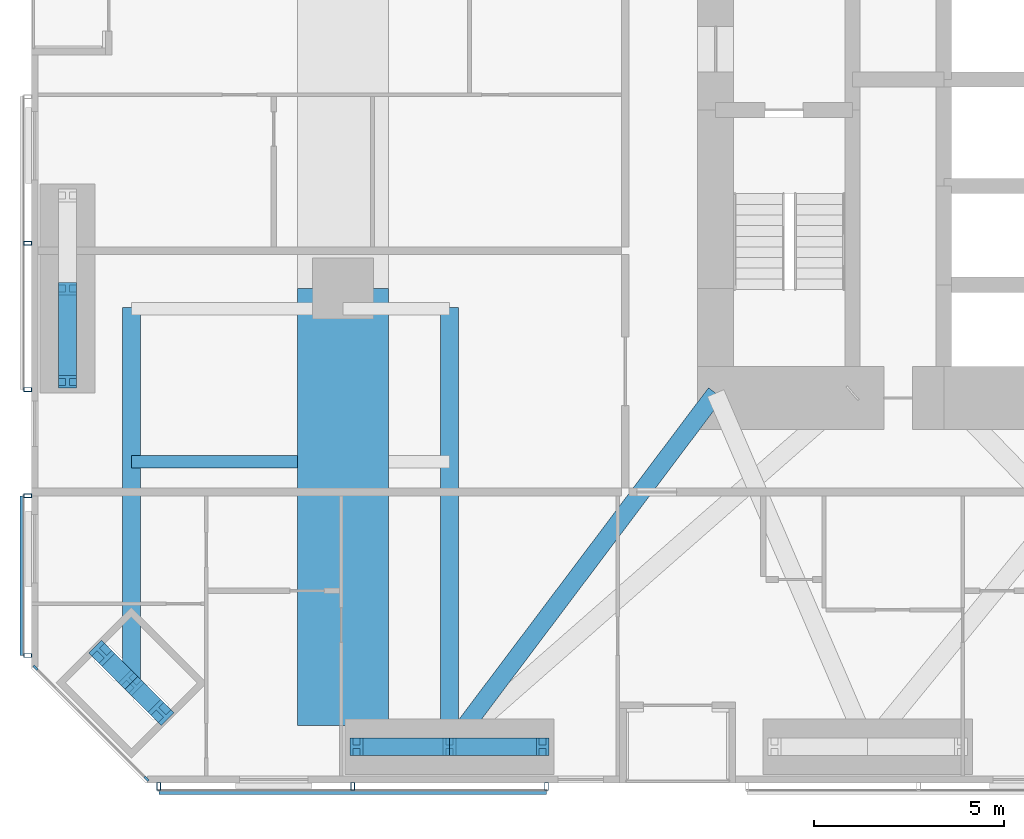
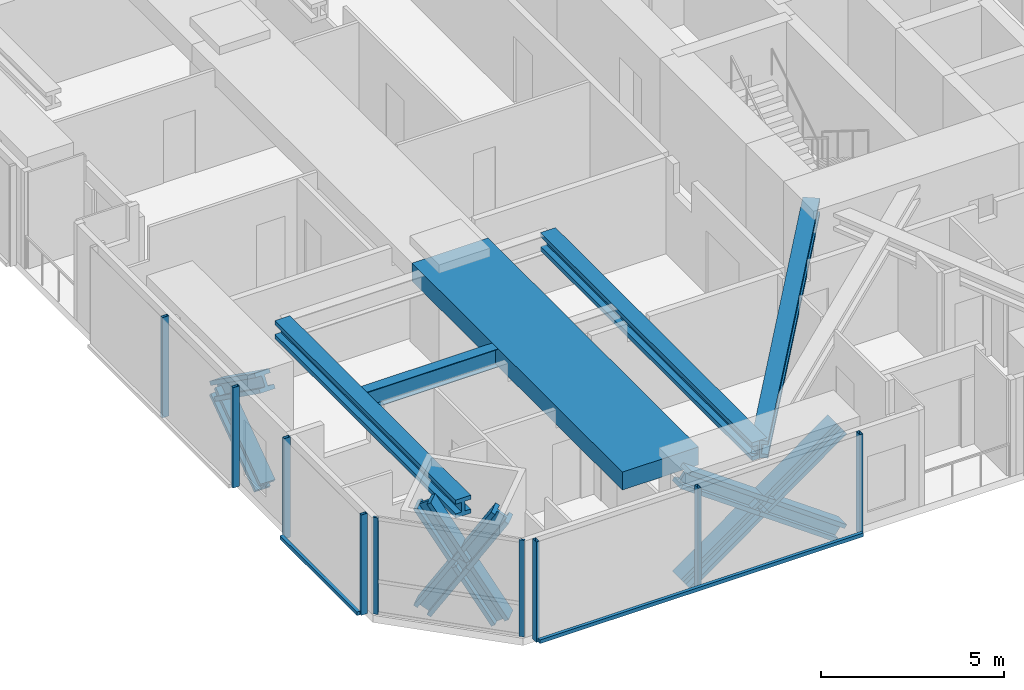
# One storey, part 2 of 22: 22 members, 4 beams, 4 elements without a shape of their own.
"""IFC4 building model written with IfcOpenShell, lengths in metres."""

import ifcopenshell
import ifcopenshell.guid

model = None  # the IFC model being written
_history = None  # IfcOwnerHistory: only IFC2X3 demands one
_inside = {}  # id of a spatial element -> (the spatial element, [elements in it])
_under = {}  # id of a project, library or spatial element -> (it, [spatial elements below it])
_declared = {}  # id of a project -> (the project, [libraries it declares])
_typed = {}  # id of a type object -> (the type object, [elements of that type])
_made_of = {}  # id of a material, layer set ... -> (it, [elements and type objects made of it])


def new_model(schema):
    """Start an empty IFC model of exactly this schema.

    Asked for "IFC4X3", IfcOpenShell would pick the latest addendum, in which some entities
    have other attributes; the version numbers below select the first issue.
    IFC2X3 requires an IfcOwnerHistory on every rooted entity: one is made here for all.
    """
    global model, _history
    if schema == "IFC4X3":
        model = ifcopenshell.file(schema_version=(4, 3, 0, 0))
    else:
        model = ifcopenshell.file(schema=schema)
    _inside.clear()
    _under.clear()
    _declared.clear()
    _typed.clear()
    _made_of.clear()
    _history = None
    if model.schema == "IFC2X3":
        org = make("IfcOrganization", Name="unknown")
        user = make(
            "IfcPersonAndOrganization",
            ThePerson=make("IfcPerson", FamilyName="unknown"),
            TheOrganization=org,
        )
        app = make(
            "IfcApplication",
            ApplicationDeveloper=org,
            Version="unknown",
            ApplicationFullName="unknown",
            ApplicationIdentifier="unknown",
        )
        _history = make(
            "IfcOwnerHistory",
            OwningUser=user,
            OwningApplication=app,
            ChangeAction="ADDED",
            CreationDate=0,
        )
    return model


def make(cls, **values):
    """One entity of the class cls with the attributes given. An attribute that is None is left unset."""
    return model.create_entity(
        cls, **{name: value for name, value in values.items() if value is not None}
    )


def rooted(cls, **values):
    """An entity with a GlobalId (a new one), such as an element, a storey or a relation."""
    return make(cls, GlobalId=ifcopenshell.guid.new(), OwnerHistory=_history, **values)


def si_unit(unit_type, name, prefix=None):
    """IfcSIUnit, for example si_unit("LENGTHUNIT", "METRE", prefix="MILLI")."""
    return make("IfcSIUnit", UnitType=unit_type, Prefix=prefix, Name=name)


def assignment(units):
    """IfcUnitAssignment: the units of a project."""
    return None if units is None else make("IfcUnitAssignment", Units=units)


def point(xyz):
    """IfcCartesianPoint."""
    return None if xyz is None else make("IfcCartesianPoint", Coordinates=xyz)


def direction(xyz):
    """IfcDirection."""
    return None if xyz is None else make("IfcDirection", DirectionRatios=xyz)


def frame(location, z_axis=None, x_axis=None):
    """IfcAxis2Placement3D, a coordinate frame: its origin and axes. An axis left out is left unset."""
    return make(
        "IfcAxis2Placement3D",
        Location=point(location),
        Axis=direction(z_axis),
        RefDirection=direction(x_axis),
    )


def frame_2d(location, x_axis=None):
    """IfcAxis2Placement2D, a coordinate frame in the plane: its origin and x axis."""
    return make(
        "IfcAxis2Placement2D", Location=point(location), RefDirection=direction(x_axis)
    )


def origin():
    """The frame at (0, 0, 0) with its axes left unset."""
    return frame((0.0, 0.0, 0.0))


def origin_2d():
    """The frame at (0, 0) in the plane with its x axis left unset."""
    return frame_2d((0.0, 0.0))


def place(relative_to, where):
    """IfcLocalPlacement: puts the frame where relative to a parent placement (None: the world)."""
    return make(
        "IfcLocalPlacement", PlacementRelTo=relative_to, RelativePlacement=where
    )


def context(
    kind, dimensions, precision=None, world=None, true_north=None, identifier=None
):
    """IfcGeometricRepresentationContext, for example the 3D "Model" context."""
    return make(
        "IfcGeometricRepresentationContext",
        ContextIdentifier=identifier,
        ContextType=kind,
        CoordinateSpaceDimension=dimensions,
        Precision=precision,
        WorldCoordinateSystem=world,
        TrueNorth=true_north,
    )


def subcontext(parent, identifier, kind, view, scale=None):
    """IfcGeometricRepresentationSubContext, for example "Body" below "Model"."""
    return make(
        "IfcGeometricRepresentationSubContext",
        ContextIdentifier=identifier,
        ContextType=kind,
        ParentContext=parent,
        TargetScale=scale,
        TargetView=view,
    )


def project(units=None, contexts=None):
    """IfcProject with its units and contexts."""
    return rooted(
        "IfcProject",
        Name="project",
        RepresentationContexts=contexts,
        UnitsInContext=assignment(units),
    )


def spatial(cls, under=None, at=None, **own):
    """A site, building, storey or space (cls), placed at a placement, below another one or the project."""
    s = rooted(cls, ObjectPlacement=at, **own)
    if under is not None:
        _under.setdefault(under.id(), (under, []))[1].append(s)
    return s


def profile(cls, at=None, kind="AREA", **sizes):
    """A parametric profile (cls). Its sizes go by their IFC names, for example OverallWidth=200.0."""
    return make(cls, ProfileType=kind, Position=at, **sizes)


def rectangle(**sizes):
    """IfcRectangleProfileDef."""
    return profile("IfcRectangleProfileDef", **sizes)


def hollow_rectangle(**sizes):
    """IfcRectangleHollowProfileDef."""
    return profile("IfcRectangleHollowProfileDef", **sizes)


def i_section(**sizes):
    """IfcIShapeProfileDef."""
    return profile("IfcIShapeProfileDef", **sizes)


def extrude(swept, where, along, depth):
    """IfcExtrudedAreaSolid: the profile swept, set in the frame where, extruded along a direction by depth."""
    return make(
        "IfcExtrudedAreaSolid",
        SweptArea=swept,
        Position=where,
        ExtrudedDirection=direction(along),
        Depth=depth,
    )


def shape(context_of_items, identifier, shape_type, items):
    """IfcShapeRepresentation: the items that make up one representation, for example the "Body"."""
    return make(
        "IfcShapeRepresentation",
        ContextOfItems=context_of_items,
        RepresentationIdentifier=identifier,
        RepresentationType=shape_type,
        Items=items,
    )


def material(Name=None, Category=None):
    """IfcMaterial."""
    return make("IfcMaterial", Name=Name, Category=Category)


def material_profile(
    of_material, cross_section, Name=None, Category=None, Priority=None
):
    """IfcMaterialProfile: a cross section and its material."""
    return make(
        "IfcMaterialProfile",
        Name=Name,
        Material=of_material,
        Profile=cross_section,
        Priority=Priority,
        Category=Category,
    )


def profile_set(profiles, Name=None, composite=None):
    """IfcMaterialProfileSet."""
    return make(
        "IfcMaterialProfileSet",
        Name=Name,
        MaterialProfiles=profiles,
        CompositeProfile=composite,
    )


def made_of(thing, what):
    """Note that an element or type object is made of a material, layer set ...; save() writes the relation."""
    if what is not None:
        _made_of.setdefault(what.id(), (what, []))[1].append(thing)
    return thing


def type_object(cls, material=None, **own):
    """A type object (cls), such as IfcWallType, which elements share."""
    return made_of(rooted(cls, **own), material)


def element(
    cls,
    number,
    at=None,
    inside=None,
    cuts=None,
    type_object=None,
    material=None,
    context=None,
    identifier="Body",
    shape_type=None,
    held_by="IfcProductDefinitionShape",
    body=None,
    shapes=None,
    **own,
):
    """One element of the class cls, such as IfcWall. Its Tag is "e" and its number.

    at: its placement. inside: the storey or other place that contains it. cuts: it is an
    opening in that element (IfcRelVoidsElement). A single representation is given by context,
    identifier, shape_type and body (its items); several are given by shapes. held_by: the class
    of the entity that holds the representations. save() writes the other relations.
    """
    e = rooted(cls, Tag="e%d" % number, ObjectPlacement=at, **own)
    if body is not None:
        shapes = [shape(context, identifier, shape_type, body)]
    if shapes is not None:
        e.Representation = make(held_by, Representations=shapes)
    if inside is not None:
        _inside.setdefault(inside.id(), (inside, []))[1].append(e)
    if cuts is not None:
        rooted(
            "IfcRelVoidsElement", RelatingBuildingElement=cuts, RelatedOpeningElement=e
        )
    if type_object is not None:
        _typed.setdefault(type_object.id(), (type_object, []))[1].append(e)
    return made_of(e, material)


def aggregate(whole, parts):
    """IfcRelAggregates: a whole, such as a stair, and the parts it consists of."""
    return rooted("IfcRelAggregates", RelatingObject=whole, RelatedObjects=parts)


def save(model, path):
    """Write the relations noted so far, then the file.

    IfcRelAggregates (storeys below a building ...), IfcRelContainedInSpatialStructure (elements
    in a storey), IfcRelDefinesByType, IfcRelAssociatesMaterial and IfcRelDeclares: one each for
    every whole, place, type object, material and project.
    """
    for whole, parts in _under.values():
        aggregate(whole, parts)
    for where, things in _inside.values():
        rooted(
            "IfcRelContainedInSpatialStructure",
            RelatedElements=things,
            RelatingStructure=where,
        )
    for kind, things in _typed.values():
        rooted("IfcRelDefinesByType", RelatedObjects=things, RelatingType=kind)
    for what, things in _made_of.values():
        rooted("IfcRelAssociatesMaterial", RelatedObjects=things, RelatingMaterial=what)
    for by, libraries in _declared.values():
        rooted("IfcRelDeclares", RelatingContext=by, RelatedDefinitions=libraries)
    model.write(path)


model = new_model("IFC4")

# Units and contexts
model_context = context("Model", 3, precision=1e-05, world=origin(), true_north=direction((0.0, 1.0)))
body_context = subcontext(model_context, "Body", "Model", "MODEL_VIEW")
ifc_project = project(units=[si_unit("LENGTHUNIT", "METRE"), si_unit("AREAUNIT", "SQUARE_METRE"), si_unit("VOLUMEUNIT", "CUBIC_METRE"), si_unit("PLANEANGLEUNIT", "RADIAN"), si_unit("MASSUNIT", "GRAM", prefix="KILO")], contexts=[model_context])

# Site, building, storey
site_placement = place(None, origin())
site = spatial("IfcSite", under=ifc_project, at=site_placement, CompositionType="ELEMENT")
building_placement = place(site_placement, origin())
building = spatial("IfcBuilding", under=site, at=building_placement, Name="Jalousie Tower", CompositionType="ELEMENT")
storey_placement = place(building_placement, frame((0.0, 0.0, 71.25)))
storey = spatial("IfcBuildingStorey", under=building, at=storey_placement, Name="L19", CompositionType="ELEMENT", Elevation=71.25)

# Curtain wall, members
ifc_material_1 = material(Name="Aluminium curtain wall", Category="aluminium")
curtain_wall_type_1 = type_object("IfcCurtainWallType", Name="CORNER WINDOW WALL", PredefinedType="USERDEFINED", material=ifc_material_1)
curtain_wall_1_placement = place(storey_placement, origin())
curtain_wall_1 = element("IfcCurtainWall", 1, at=curtain_wall_1_placement, inside=storey, type_object=curtain_wall_type_1, Name="Corner Window Wall L19 8", ObjectType="CORNER WINDOW WALL", PredefinedType="USERDEFINED")
ifc_material_2 = material(Name="Aluminium mullion", Category="aluminium")
ifc_material_profile_1 = material_profile(ifc_material_2, rectangle(XDim=0.06005859375, YDim=0.14990234375, at=origin_2d()), Name="MULLION 60x150")
ifc_profile_set_1 = profile_set([ifc_material_profile_1], Name="Aluminium mullion")
member_type_1 = type_object("IfcMemberType", Name="CORNER WINDOW WALL MULLION", PredefinedType="MULLION", material=ifc_profile_set_1)
member_1_placement = place(storey_placement, frame((2.108642578125, 3.030029296875, 0.0), z_axis=(0.0, 0.0, 1.0), x_axis=(0.707106781187, 0.707106781187, 0.0)))
member_1 = element("IfcMember", 2, at=member_1_placement, type_object=member_type_1, Name="CW-C mullion 1", PredefinedType="MULLION", context=body_context, shape_type="SweptSolid", body=[
    extrude(rectangle(XDim=0.06005859375, YDim=0.14990234375, at=origin_2d()), origin(), (0.0, 0.0, 1.0), 3.219970703125),
])
member_2_placement = place(storey_placement, frame((5.030029296875, 0.108642578125, 0.0), z_axis=(0.0, 0.0, 1.0), x_axis=(0.707106781187, 0.707106781187, 0.0)))
member_2 = element("IfcMember", 3, at=member_2_placement, type_object=member_type_1, Name="CW-C mullion 2", PredefinedType="MULLION", context=body_context, shape_type="SweptSolid", body=[
    extrude(rectangle(XDim=0.06005859375, YDim=0.14990234375, at=origin_2d()), origin(), (0.0, 0.0, 1.0), 3.219970703125),
])
aggregate(curtain_wall_1, [member_1, member_2])

# Member
ifc_material_3 = material(Name="Steel ASTM A992 Grade 50", Category="steel")
ifc_material_profile_2 = material_profile(ifc_material_3, i_section(OverallWidth=0.472412109375, OverallDepth=0.5791015625, WebThickness=0.094970703125, FlangeThickness=0.1298828125, at=origin_2d()), Name="W14X808")
ifc_profile_set_2 = profile_set([ifc_material_profile_2], Name="Steel ASTM A992 Grade 50")
member_type_2 = type_object("IfcMemberType", Name="KINK FLOOR TRUSS DIAGONAL W14X808", PredefinedType="BRACE", material=ifc_profile_set_2)
member_3_placement = place(storey_placement, frame((13.0, 0.949951171875, 2.930419921875), z_axis=(0.601371667213, 0.798969409848, 0.0), x_axis=(-0.798969409848, 0.601371667213, 0.0)))
element("IfcMember", 4, at=member_3_placement, inside=storey, type_object=member_type_2, Name="Kink floor truss L20 02 diagonal", PredefinedType="BRACE", context=body_context, shape_type="SweptSolid", body=[
    extrude(i_section(OverallWidth=0.472412109375, OverallDepth=0.5791015625, WebThickness=0.094970703125, FlangeThickness=0.1298828125, at=origin_2d()), origin(), (0.0, 0.0, 1.0), 11.64013671875),
])

# Beams
ifc_material_4 = material(Name="Steel ASTM A992 Grade 50", Category="steel")
ifc_material_profile_3 = material_profile(ifc_material_4, i_section(OverallWidth=0.4775390625, OverallDepth=0.599365234375, WebThickness=0.10009765625, FlangeThickness=0.139892578125, at=origin_2d()), Name="W14X873")
ifc_profile_set_3 = profile_set([ifc_material_profile_3], Name="Steel ASTM A992 Grade 50")
beam_type_1 = type_object("IfcBeamType", Name="KINK TIE W14X873", PredefinedType="BEAM", material=ifc_profile_set_3)
beam_1_placement = place(storey_placement, frame((4.63134765625, 2.63134765625, 2.92041015625), z_axis=(0.0, 1.0, 0.0), x_axis=(-1.0, 0.0, 0.0)))
element("IfcBeam", 5, at=beam_1_placement, inside=storey, type_object=beam_type_1, Name="Kink tie under L20", PredefinedType="BEAM", context=body_context, shape_type="SweptSolid", body=[
    extrude(i_section(OverallWidth=0.4775390625, OverallDepth=0.599365234375, WebThickness=0.10009765625, FlangeThickness=0.139892578125, at=origin_2d()), origin(), (0.0, 0.0, 1.0), 9.86865234375),
])
beam_2_placement = place(storey_placement, frame((13.0, 0.949951171875, 2.92041015625), z_axis=(0.0, 1.0, 0.0), x_axis=(-1.0, 0.0, 0.0)))
element("IfcBeam", 6, at=beam_2_placement, inside=storey, type_object=beam_type_1, Name="Kink tie under L20", PredefinedType="BEAM", context=body_context, shape_type="SweptSolid", body=[
    extrude(i_section(OverallWidth=0.4775390625, OverallDepth=0.599365234375, WebThickness=0.10009765625, FlangeThickness=0.139892578125, at=origin_2d()), origin(), (0.0, 0.0, 1.0), 11.550048828125),
])

# Members
ifc_material_5 = material(Name="Steel ASTM A992 Grade 50", Category="steel")
ifc_material_profile_4 = material_profile(ifc_material_5, i_section(OverallWidth=0.472412109375, OverallDepth=0.5791015625, WebThickness=0.094970703125, FlangeThickness=0.1298828125, at=origin_2d()), Name="W14X808")
ifc_profile_set_4 = profile_set([ifc_material_profile_4], Name="Steel ASTM A992 Grade 50")
member_type_3 = type_object("IfcMemberType", Name="PERIMETER BRACE W14X808", PredefinedType="BRACE", material=ifc_profile_set_4)
for number, where, z_axis, x_axis, name in (
    (7, (3.853515625, 3.4091796875, -0.60009765625), (0.376307161585, -0.376307161585, 0.846632057201), (0.707106781187, 0.707106781187, 0.0), "Perimeter brace 01 L19 part 1"),
    (8, (4.63134765625, 2.63134765625, 1.14990234375), (0.376307161585, -0.376307161585, 0.846632057201), (0.707106781187, 0.707106781187, 0.0), "Perimeter brace 01 L19 part 2"),
    (9, (5.4091796875, 1.853515625, -0.60009765625), (-0.376307161585, 0.376307161585, 0.846632057201), (-0.707106781187, -0.707106781187, 0.0), "Perimeter brace 01 L19 part 3"),
    (10, (4.63134765625, 2.63134765625, 1.14990234375), (-0.376307161585, 0.376307161585, 0.846632057201), (-0.707106781187, -0.707106781187, 0.0), "Perimeter brace 01 L19 part 4"),
):
    element("IfcMember", number, at=place(storey_placement, frame(where, z_axis=z_axis, x_axis=x_axis)), inside=storey, type_object=member_type_3, Name=name, PredefinedType="BRACE", context=body_context, shape_type="SweptSolid", body=[
        extrude(i_section(OverallWidth=0.472412109375, OverallDepth=0.5791015625, WebThickness=0.094970703125, FlangeThickness=0.1298828125, at=origin_2d()), origin(), (0.0, 0.0, 1.0), 2.06689453125),
    ])
for number, where, z_axis, x_axis, name in (
    (11, (10.550048828125, 0.949951171875, -0.60009765625), (0.813727992185, 0.0, 0.581245864273), (0.0, 1.0, 0.0), "Perimeter brace 02 L19 part 1"),
    (12, (13.0, 0.949951171875, 1.14990234375), (0.813727992185, 0.0, 0.581245864273), (0.0, 1.0, 0.0), "Perimeter brace 02 L19 part 2"),
    (13, (15.449951171875, 0.949951171875, -0.60009765625), (-0.813727992185, 0.0, 0.581245864273), (0.0, -1.0, 0.0), "Perimeter brace 02 L19 part 3"),
    (14, (13.0, 0.949951171875, 1.14990234375), (-0.813727992185, 0.0, 0.581245864273), (0.0, -1.0, 0.0), "Perimeter brace 02 L19 part 4"),
    (15, (2.949951171875, 10.550048828125, -0.60009765625), (0.0, 0.813727992185, 0.581245864273), (-1.0, 0.0, 0.0), "Perimeter brace 14 L19 part 1"),
    (16, (2.949951171875, 13.0, 1.14990234375), (0.0, -0.813727992185, 0.581245864273), (1.0, 0.0, 0.0), "Perimeter brace 14 L19 part 4"),
):
    element("IfcMember", number, at=place(storey_placement, frame(where, z_axis=z_axis, x_axis=x_axis)), inside=storey, type_object=member_type_3, Name=name, PredefinedType="BRACE", context=body_context, shape_type="SweptSolid", body=[
        extrude(i_section(OverallWidth=0.472412109375, OverallDepth=0.5791015625, WebThickness=0.094970703125, FlangeThickness=0.1298828125, at=origin_2d()), origin(), (0.0, 0.0, 1.0), 3.0107421875),
    ])

# Beams
ifc_material_6 = material(Name="Steel ASTM A992 Grade 50", Category="steel")
ifc_material_profile_5 = material_profile(ifc_material_6, i_section(OverallWidth=0.3251953125, OverallDepth=0.612060546875, WebThickness=0.0126953125, FlangeThickness=0.01904296875, at=origin_2d()), Name="W24X104")
ifc_profile_set_5 = profile_set([ifc_material_profile_5], Name="Steel ASTM A992 Grade 50")
beam_type_2 = type_object("IfcBeamType", Name="PLANT FLOOR BEAM W24X104", PredefinedType="BEAM", material=ifc_profile_set_5)
beam_3_placement = place(storey_placement, frame((4.63134765625, 8.449951171875, 2.913818359375), z_axis=(1.0, 0.0, 0.0), x_axis=(0.0, 1.0, 0.0)))
element("IfcBeam", 17, at=beam_3_placement, inside=storey, type_object=beam_type_2, Name="Plant floor beam under Electrical plant room L20", PredefinedType="BEAM", context=body_context, shape_type="SweptSolid", body=[
    extrude(i_section(OverallWidth=0.3251953125, OverallDepth=0.612060546875, WebThickness=0.0126953125, FlangeThickness=0.01904296875, at=origin_2d()), origin(), (0.0, 0.0, 1.0), 4.36865234375),
])
ifc_material_7 = material(Name="Concrete f'c 40 MPa", Category="concrete")
ifc_material_profile_6 = material_profile(ifc_material_7, rectangle(XDim=2.39990234375, YDim=0.60009765625, at=origin_2d()), Name="RC 2400x600")
ifc_profile_set_6 = profile_set([ifc_material_profile_6], Name="Concrete f'c 40 MPa")
beam_type_3 = type_object("IfcBeamType", Name="RC BEAM 2400x600", PredefinedType="BEAM", material=ifc_profile_set_6)
beam_4_placement = place(storey_placement, frame((10.199951171875, 13.0, 2.919921875), z_axis=(0.0, -1.0, 0.0), x_axis=(1.0, 0.0, 0.0)))
element("IfcBeam", 18, at=beam_4_placement, inside=storey, type_object=beam_type_3, Name="Floor band beam under L20", PredefinedType="BEAM", context=body_context, shape_type="SweptSolid", body=[
    extrude(rectangle(XDim=2.39990234375, YDim=0.60009765625, at=origin_2d()), origin(), (0.0, 0.0, 1.0), 11.4873046875),
])

# Curtain wall, members
ifc_material_8 = material(Name="Perforated aluminium sheet", Category="aluminium")
curtain_wall_type_2 = type_object("IfcCurtainWallType", Name="SOLAR SCREEN SS-2", PredefinedType="USERDEFINED", material=ifc_material_8)
curtain_wall_2_placement = place(storey_placement, origin())
curtain_wall_2 = element("IfcCurtainWall", 19, at=curtain_wall_2_placement, inside=storey, type_object=curtain_wall_type_2, Name="Solar screen L19", ObjectType="SOLAR SCREEN SS-2", PredefinedType="USERDEFINED")
ifc_material_9 = material(Name="Steel ASTM A500 Grade C", Category="steel")
ifc_material_profile_7 = material_profile(ifc_material_9, hollow_rectangle(XDim=0.1015625, YDim=0.203125, WallThickness=0.0078125, at=origin_2d()), Name="HSS8X4X5/16")
ifc_profile_set_7 = profile_set([ifc_material_profile_7], Name="Steel ASTM A500 Grade C")
member_type_4 = type_object("IfcMemberType", Name="SOLAR SCREEN SS-2 MULLION", PredefinedType="MULLION", material=ifc_profile_set_7)
member_4_placement = place(storey_placement, frame((5.351318359375, -0.0966796875, -0.1201171875), z_axis=(0.0, 0.0, 1.0), x_axis=(1.0, 0.0, 0.0)))
member_4 = element("IfcMember", 20, at=member_4_placement, type_object=member_type_4, Name="SS2 post 1", PredefinedType="MULLION", context=body_context, shape_type="SweptSolid", body=[
    extrude(hollow_rectangle(XDim=0.1015625, YDim=0.203125, WallThickness=0.0078125, at=origin_2d()), origin(), (0.0, 0.0, 1.0), 3.340087890625),
])
member_5_placement = place(storey_placement, frame((10.45068359375, -0.0966796875, -0.1201171875), z_axis=(0.0, 0.0, 1.0), x_axis=(1.0, 0.0, 0.0)))
member_5 = element("IfcMember", 21, at=member_5_placement, type_object=member_type_4, Name="SS2 post 2", PredefinedType="MULLION", context=body_context, shape_type="SweptSolid", body=[
    extrude(hollow_rectangle(XDim=0.1015625, YDim=0.203125, WallThickness=0.0078125, at=origin_2d()), origin(), (0.0, 0.0, 1.0), 3.340087890625),
])
member_6_placement = place(storey_placement, frame((15.550048828125, -0.0966796875, -0.1201171875), z_axis=(0.0, 0.0, 1.0), x_axis=(1.0, 0.0, 0.0)))
member_6 = element("IfcMember", 22, at=member_6_placement, type_object=member_type_4, Name="SS2 post 3", PredefinedType="MULLION", context=body_context, shape_type="SweptSolid", body=[
    extrude(hollow_rectangle(XDim=0.1015625, YDim=0.203125, WallThickness=0.0078125, at=origin_2d()), origin(), (0.0, 0.0, 1.0), 3.340087890625),
])

curtain_wall_3_placement = place(storey_placement, origin())
curtain_wall_3 = element("IfcCurtainWall", 23, at=curtain_wall_3_placement, inside=storey, type_object=curtain_wall_type_2, Name="Solar screen L19", ObjectType="SOLAR SCREEN SS-2", PredefinedType="USERDEFINED")
member_7_placement = place(storey_placement, frame((1.9033203125, 14.197021484375, -0.1201171875), z_axis=(0.0, 0.0, 1.0), x_axis=(0.0, -1.0, 0.0)))
member_7 = element("IfcMember", 24, at=member_7_placement, type_object=member_type_4, Name="SS2 post 2", PredefinedType="MULLION", context=body_context, shape_type="SweptSolid", body=[
    extrude(hollow_rectangle(XDim=0.1015625, YDim=0.203125, WallThickness=0.0078125, at=origin_2d()), origin(), (0.0, 0.0, 1.0), 3.340087890625),
])
member_8_placement = place(storey_placement, frame((1.9033203125, 10.34375, -0.1201171875), z_axis=(0.0, 0.0, 1.0), x_axis=(0.0, -1.0, 0.0)))
member_8 = element("IfcMember", 25, at=member_8_placement, type_object=member_type_4, Name="SS2 post 3", PredefinedType="MULLION", context=body_context, shape_type="SweptSolid", body=[
    extrude(hollow_rectangle(XDim=0.1015625, YDim=0.203125, WallThickness=0.0078125, at=origin_2d()), origin(), (0.0, 0.0, 1.0), 3.340087890625),
])
aggregate(curtain_wall_3, [member_7, member_8])

curtain_wall_4_placement = place(storey_placement, origin())
curtain_wall_4 = element("IfcCurtainWall", 26, at=curtain_wall_4_placement, inside=storey, type_object=curtain_wall_type_2, Name="Solar screen L19", ObjectType="SOLAR SCREEN SS-2", PredefinedType="USERDEFINED")
member_9_placement = place(storey_placement, frame((1.9033203125, 7.550048828125, -0.1201171875), z_axis=(0.0, 0.0, 1.0), x_axis=(0.0, -1.0, 0.0)))
member_9 = element("IfcMember", 27, at=member_9_placement, type_object=member_type_4, Name="SS2 post 1", PredefinedType="MULLION", context=body_context, shape_type="SweptSolid", body=[
    extrude(hollow_rectangle(XDim=0.1015625, YDim=0.203125, WallThickness=0.0078125, at=origin_2d()), origin(), (0.0, 0.0, 1.0), 3.340087890625),
])
member_10_placement = place(storey_placement, frame((1.9033203125, 3.351318359375, -0.1201171875), z_axis=(0.0, 0.0, 1.0), x_axis=(0.0, -1.0, 0.0)))
member_10 = element("IfcMember", 28, at=member_10_placement, type_object=member_type_4, Name="SS2 post 2", PredefinedType="MULLION", context=body_context, shape_type="SweptSolid", body=[
    extrude(hollow_rectangle(XDim=0.1015625, YDim=0.203125, WallThickness=0.0078125, at=origin_2d()), origin(), (0.0, 0.0, 1.0), 3.340087890625),
])

# Member
ifc_material_10 = material(Name="Extruded aluminium screen rail", Category="aluminium")
ifc_material_profile_8 = material_profile(ifc_material_10, rectangle(XDim=0.1015625, YDim=0.1201171875, at=origin_2d()), Name="RAIL 102x120")
ifc_profile_set_8 = profile_set([ifc_material_profile_8], Name="Extruded aluminium screen rail")
member_type_5 = type_object("IfcMemberType", Name="SOLAR SCREEN SS-2 TRANSOM", PredefinedType="USERDEFINED", material=ifc_profile_set_8)
member_11_placement = place(storey_placement, frame((5.351318359375, -0.2490234375, -0.06005859375), z_axis=(1.0, 0.0, 0.0), x_axis=(0.0, 1.0, 0.0)))
member_11 = element("IfcMember", 29, at=member_11_placement, type_object=member_type_5, Name="SS2 rail", ObjectType="TRANSOM", PredefinedType="USERDEFINED", context=body_context, shape_type="SweptSolid", body=[
    extrude(rectangle(XDim=0.1015625, YDim=0.1201171875, at=origin_2d()), origin(), (0.0, 0.0, 1.0), 10.19873046875),
])

aggregate(curtain_wall_2, [member_4, member_5, member_6, member_11])

member_12_placement = place(storey_placement, frame((1.7509765625, 7.550048828125, -0.06005859375), z_axis=(0.0, -1.0, 0.0), x_axis=(1.0, 0.0, 0.0)))
member_12 = element("IfcMember", 30, at=member_12_placement, type_object=member_type_5, Name="SS2 rail", ObjectType="TRANSOM", PredefinedType="USERDEFINED", context=body_context, shape_type="SweptSolid", body=[
    extrude(rectangle(XDim=0.1015625, YDim=0.1201171875, at=origin_2d()), origin(), (0.0, 0.0, 1.0), 4.19873046875),
])

aggregate(curtain_wall_4, [member_9, member_10, member_12])

save(model, "model.ifc")
